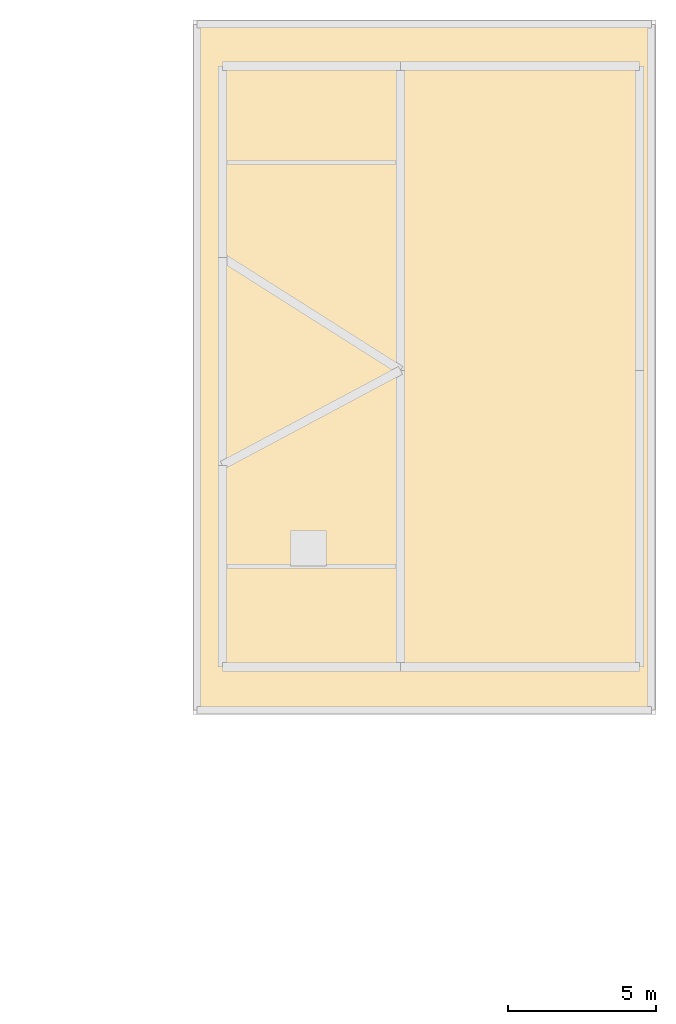
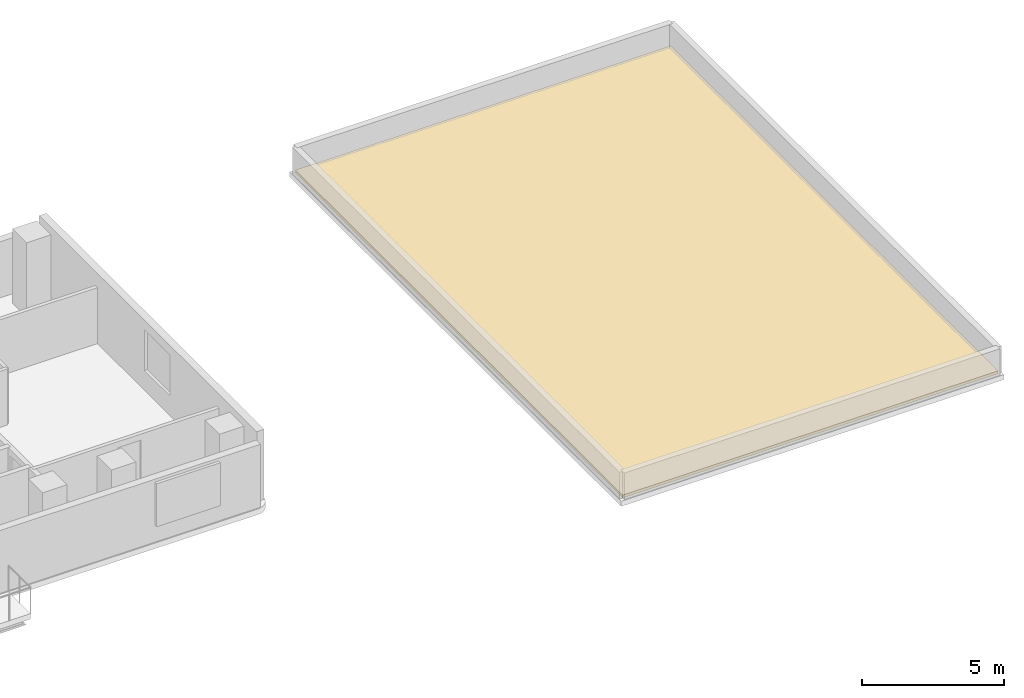
# One storey, part 8 of 8: 1 covering.
"""IFC4 building model written with IfcOpenShell, lengths in metres."""

from ifc_helpers import new_model, si_unit, direction, frame, origin, place, context, subcontext, project, spatial, polyline, outline, extrude, material, layer, layer_set, type_object, element, save


model = new_model("IFC4")

# Units and contexts
model_context = context("Model", 3, precision=1e-05, world=origin(), true_north=direction((0.0, 1.0)))
body_context = subcontext(model_context, "Body", "Model", "MODEL_VIEW")
ifc_project = project(units=[si_unit("LENGTHUNIT", "METRE"), si_unit("AREAUNIT", "SQUARE_METRE"), si_unit("VOLUMEUNIT", "CUBIC_METRE"), si_unit("PLANEANGLEUNIT", "RADIAN"), si_unit("MASSUNIT", "GRAM", prefix="KILO")], contexts=[model_context])

# Site, building, storey
site_placement = place(None, origin())
site = spatial("IfcSite", under=ifc_project, at=site_placement, CompositionType="ELEMENT")
building_placement = place(site_placement, origin())
building = spatial("IfcBuilding", under=site, at=building_placement, Name="Kuzgunbayir Cultural Tower", CompositionType="ELEMENT")
storey_placement = place(building_placement, frame((0.0, 0.0, 107.39990234375)))
storey = spatial("IfcBuildingStorey", under=building, at=storey_placement, Name="L30", CompositionType="ELEMENT", Elevation=107.39990234375)

# Covering
ifc_material = material(Name="Anatolian Cream Limestone", Category="masonry")
ifc_layer = layer(ifc_material, 0.1201171875)
ifc_layer_set = layer_set([ifc_layer], Name="Anatolian Cream Limestone")
covering_type = type_object("IfcCoveringType", Name="COV-ROOF-STONE-12", PredefinedType="ROOFING", material=ifc_layer_set)
covering_placement = place(storey_placement, origin())
element("IfcCovering", 1, at=covering_placement, inside=storey, type_object=covering_type, Name="L30 Warm Limestone Ballasted Roof Covering", PredefinedType="ROOFING", context=body_context, shape_type="SweptSolid", body=[
    extrude(outline(polyline([(57.75, 20.550048828125), (73.050048828125, 20.550048828125), (73.050048828125, 43.64990234375), (57.75, 43.64990234375), (57.75, 20.550048828125)])), origin(), (0.0, 0.0, 1.0), 0.1201171875),
])

save(model, "model.ifc")
